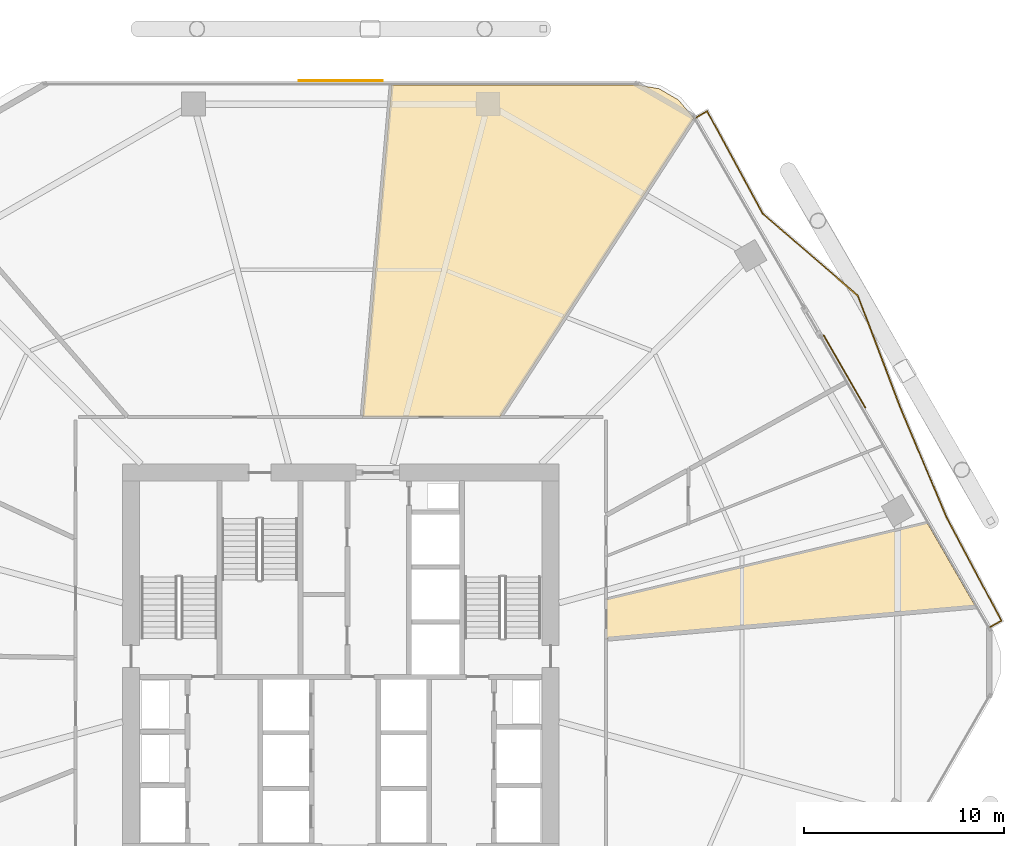
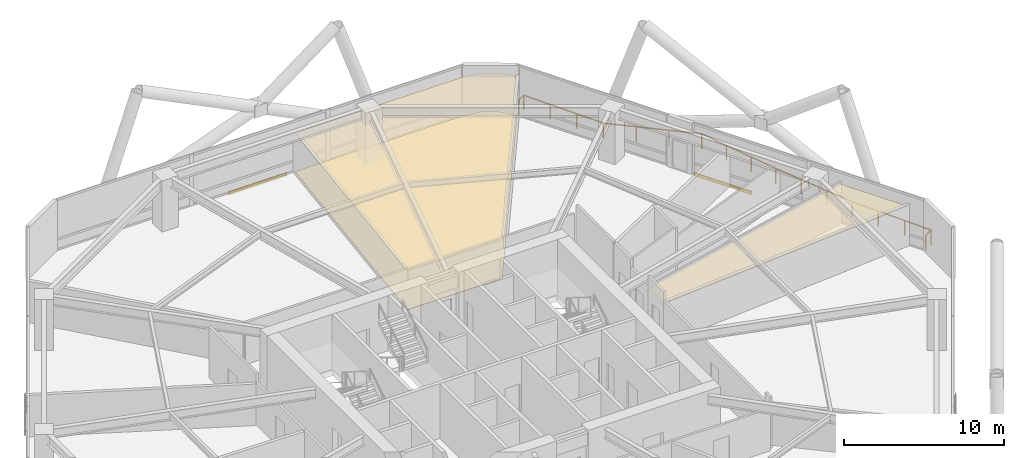
# One storey, part 31 of 31: 5 coverings, 1 railing.
"""IFC4 building model written with IfcOpenShell, lengths in metres."""

from ifc_helpers import new_model, si_unit, direction, frame, origin, origin_2d, place, context, subcontext, project, spatial, polyline, rectangle, outline, extrude, material, layer, layer_set, type_object, element, save


model = new_model("IFC4")

# Units and contexts
model_context = context("Model", 3, precision=1e-05, world=origin(), true_north=direction((0.0, 1.0)))
body_context = subcontext(model_context, "Body", "Model", "MODEL_VIEW")
ifc_project = project(units=[si_unit("LENGTHUNIT", "METRE"), si_unit("AREAUNIT", "SQUARE_METRE"), si_unit("VOLUMEUNIT", "CUBIC_METRE"), si_unit("PLANEANGLEUNIT", "RADIAN"), si_unit("MASSUNIT", "GRAM", prefix="KILO")], contexts=[model_context])

# Site, building, storey
site_placement = place(None, origin())
site = spatial("IfcSite", under=ifc_project, at=site_placement, CompositionType="ELEMENT")
building_placement = place(site_placement, origin())
building = spatial("IfcBuilding", under=site, at=building_placement, Name="Zuhravey Tower", CompositionType="ELEMENT")
storey_placement = place(building_placement, frame((0.0, 0.0, 7.800048828125)))
storey = spatial("IfcBuildingStorey", under=building, at=storey_placement, Name="L02", CompositionType="ELEMENT", Elevation=7.800048828125)

# Covering
ifc_material_1 = material(Name="Mineral-fibre acoustic ceiling tile")
ifc_layer_1 = layer(ifc_material_1, 0.02490234375)
ifc_layer_set_1 = layer_set([ifc_layer_1], Name="Mineral-fibre acoustic ceiling tile")
covering_type_1 = type_object("IfcCoveringType", Name="Acoustic Suspended Ceiling", PredefinedType="CEILING", material=ifc_layer_set_1)
covering_1_placement = place(storey_placement, frame((0.0, 0.0, 2.9599609375)))
element("IfcCovering", 1, at=covering_1_placement, inside=storey, type_object=covering_type_1, Name="L02 Acoustic Suspended Ceiling CLG1", PredefinedType="CEILING", context=body_context, shape_type="SweptSolid", body=[
    extrude(outline(polyline([(52.905029296875, 60.1630859375), (53.633544921875, 59.294921875), (53.66552734375, 59.2392578125), (43.967041015625, 44.304931640625), (37.0966796875, 44.304931640625), (38.550048828125, 60.91845703125), (50.8212890625, 60.91845703125), (51.9375, 60.7216796875), (52.905029296875, 60.1630859375)])), origin(), (0.0, 0.0, 1.0), 0.02490234375),
])

# Railing
ifc_material_2 = material(Name="Stainless steel 316 and laminated glass", Category="steel")
railing_type = type_object("IfcRailingType", Name="Balcony & Terrace Guardrail 1150", PredefinedType="BALUSTRADE", material=ifc_material_2)
railing_placement = place(storey_placement, frame((53.7880859375, 59.27685546875, 0.0)))
element("IfcRailing", 2, at=railing_placement, inside=storey, type_object=railing_type, Name="L02 Face 1 Wave Balcony Guardrail GR1", PredefinedType="BALUSTRADE", context=body_context, shape_type="SweptSolid", body=[
    extrude(rectangle(XDim=0.048095703125, YDim=0.048095703125, at=origin_2d()), frame((0.001708984375, 0.0009765625, 1.1259765625), z_axis=(0.865924053096, 0.500175503469, 0.0), x_axis=(-0.500175503469, 0.865924053096, 0.0)), (0.0, 0.0, 1.0), 0.633544921875),
    extrude(rectangle(XDim=0.048095703125, YDim=0.048095703125, at=origin_2d()), frame((0.552978515625, 0.317138671875, 1.1259765625), z_axis=(0.477488803986, -0.878637833278, 0.0), x_axis=(0.878637833278, 0.477488803986, 0.0)), (0.0, 0.0, 1.0), 5.84521484375),
    extrude(rectangle(XDim=0.048095703125, YDim=0.048095703125, at=origin_2d()), frame((3.346435546875, -4.82177734375, 1.1259765625), z_axis=(0.757636806075, -0.652676390014, 0.0), x_axis=(0.652676390014, 0.757636806075, 0.0)), (0.0, 0.0, 1.0), 6.271728515625),
    extrude(rectangle(XDim=0.048095703125, YDim=0.048095703125, at=origin_2d()), frame((8.100341796875, -8.91845703125, 1.1259765625), z_axis=(0.354826374343, -0.934932213623, 0.0), x_axis=(0.934932213623, 0.354826374343, 0.0)), (0.0, 0.0, 1.0), 5.9814453125),
    extrude(rectangle(XDim=0.048095703125, YDim=0.048095703125, at=origin_2d()), frame((10.22412109375, -14.514404296875, 1.1259765625), z_axis=(0.387721394518, -0.921776610808, 0.0), x_axis=(0.921776610808, 0.387721394518, 0.0)), (0.0, 0.0, 1.0), 5.98046875),
    extrude(rectangle(XDim=0.048095703125, YDim=0.048095703125, at=origin_2d()), frame((12.544677734375, -20.030517578125, 1.1259765625), z_axis=(0.469271312141, -0.883054038891, 0.0), x_axis=(0.883054038891, 0.469271312141, 0.0)), (0.0, 0.0, 1.0), 5.8388671875),
    extrude(rectangle(XDim=0.048095703125, YDim=0.048095703125, at=origin_2d()), frame((15.283935546875, -25.189453125, 1.1259765625), z_axis=(-0.865945423257, -0.500138504756, 0.0), x_axis=(0.500138504756, -0.865945423257, 0.0)), (0.0, 0.0, 1.0), 0.639404296875),
    extrude(rectangle(XDim=0.0419921875, YDim=0.0419921875, at=origin_2d()), origin(), (0.0, 0.0, 1.0), 1.099853515625),
    extrude(rectangle(XDim=0.0419921875, YDim=0.0419921875, at=origin_2d()), frame((0.552001953125, 0.31884765625, 0.0)), (0.0, 0.0, 1.0), 1.099853515625),
    extrude(rectangle(XDim=0.0419921875, YDim=0.0419921875, at=origin_2d()), frame((1.48291015625, -1.394287109375, 0.0)), (0.0, 0.0, 1.0), 1.099853515625),
    extrude(rectangle(XDim=0.0419921875, YDim=0.0419921875, at=origin_2d()), frame((2.4140625, -3.107421875, 0.0)), (0.0, 0.0, 1.0), 1.099853515625),
    extrude(rectangle(XDim=0.0419921875, YDim=0.0419921875, at=origin_2d()), frame((3.344970703125, -4.820556640625, 0.0)), (0.0, 0.0, 1.0), 1.099853515625),
    extrude(rectangle(XDim=0.0419921875, YDim=0.0419921875, at=origin_2d()), frame((4.929931640625, -6.185791015625, 0.0)), (0.0, 0.0, 1.0), 1.099853515625),
    extrude(rectangle(XDim=0.0419921875, YDim=0.0419921875, at=origin_2d()), frame((6.5146484375, -7.55126953125, 0.0)), (0.0, 0.0, 1.0), 1.099853515625),
    extrude(rectangle(XDim=0.0419921875, YDim=0.0419921875, at=origin_2d()), frame((8.099609375, -8.91650390625, 0.0)), (0.0, 0.0, 1.0), 1.099853515625),
    extrude(rectangle(XDim=0.0419921875, YDim=0.0419921875, at=origin_2d()), frame((8.8076171875, -10.78173828125, 0.0)), (0.0, 0.0, 1.0), 1.099853515625),
    extrude(rectangle(XDim=0.0419921875, YDim=0.0419921875, at=origin_2d()), frame((9.515380859375, -12.647216796875, 0.0)), (0.0, 0.0, 1.0), 1.099853515625),
    extrude(rectangle(XDim=0.0419921875, YDim=0.0419921875, at=origin_2d()), frame((10.223388671875, -14.512451171875, 0.0)), (0.0, 0.0, 1.0), 1.099853515625),
    extrude(rectangle(XDim=0.0419921875, YDim=0.0419921875, at=origin_2d()), frame((10.996826171875, -16.351318359375, 0.0)), (0.0, 0.0, 1.0), 1.099853515625),
    extrude(rectangle(XDim=0.0419921875, YDim=0.0419921875, at=origin_2d()), frame((11.770263671875, -18.18994140625, 0.0)), (0.0, 0.0, 1.0), 1.099853515625),
    extrude(rectangle(XDim=0.0419921875, YDim=0.0419921875, at=origin_2d()), frame((12.543701171875, -20.02880859375, 0.0)), (0.0, 0.0, 1.0), 1.099853515625),
    extrude(rectangle(XDim=0.0419921875, YDim=0.0419921875, at=origin_2d()), frame((13.457763671875, -21.748779296875, 0.0)), (0.0, 0.0, 1.0), 1.099853515625),
    extrude(rectangle(XDim=0.0419921875, YDim=0.0419921875, at=origin_2d()), frame((14.37158203125, -23.468505859375, 0.0)), (0.0, 0.0, 1.0), 1.099853515625),
    extrude(rectangle(XDim=0.0419921875, YDim=0.0419921875, at=origin_2d()), frame((15.28564453125, -25.1884765625, 0.0)), (0.0, 0.0, 1.0), 1.099853515625),
    extrude(rectangle(XDim=0.0419921875, YDim=0.0419921875, at=origin_2d()), frame((14.728515625, -25.51025390625, 0.0)), (0.0, 0.0, 1.0), 1.099853515625),
])

# Coverings
ifc_material_3 = material(Name="Moisture-resistant gypsum ceiling board")
ifc_layer_2 = layer(ifc_material_3, 0.02001953125)
ifc_layer_set_2 = layer_set([ifc_layer_2], Name="Moisture-resistant gypsum ceiling board")
covering_type_2 = type_object("IfcCoveringType", Name="Moisture-Resistant Ceiling", PredefinedType="CEILING", material=ifc_layer_set_2)
covering_2_placement = place(storey_placement, frame((0.0, 0.0, 2.9599609375)))
element("IfcCovering", 3, at=covering_2_placement, inside=storey, type_object=covering_type_2, Name="L02 Wet-Room Ceiling CLG2", PredefinedType="CEILING", context=body_context, shape_type="SweptSolid", body=[
    extrude(outline(polyline([(67.775390625, 34.800048828125), (49.304931640625, 33.18408203125), (49.304931640625, 35.149169921875), (65.364990234375, 38.97509765625), (67.775390625, 34.800048828125)])), origin(), (0.0, 0.0, 1.0), 0.02001953125),
])
ifc_material_4 = material(Name="Architectural GRC cladding panel")
ifc_layer_3 = layer(ifc_material_4, 0.048095703125)
ifc_layer_set_3 = layer_set([ifc_layer_3], Name="Architectural GRC cladding panel")
covering_type_3 = type_object("IfcCoveringType", Name="Precast Girih Spandrel Cladding CLD2", PredefinedType="CLADDING", material=ifc_layer_set_3)
for number, where, z_axis, x_axis, name in (
    (4, (36.0, 61.12255859375, -0.26025390625), (0.0, 0.0, 1.0), (1.0, 0.0, 0.0), "L02 Face 2 Girih Spandrel Cladding CLD2"),
    (5, (61.220703125, 46.561279296875, -0.26025390625), (0.0, 0.0, 1.0), (0.5, -0.866025403784, 0.0), "L02 Face 1 Girih Spandrel Cladding CLD2"),
):
    element("IfcCovering", number, at=place(storey_placement, frame(where, z_axis=z_axis, x_axis=x_axis)), inside=storey, type_object=covering_type_3, Name=name, PredefinedType="CLADDING", context=body_context, shape_type="SweptSolid", body=[
        extrude(rectangle(XDim=4.199951171875, YDim=0.048095703125, at=origin_2d()), origin(), (0.0, 0.0, 1.0), 0.260009765625),
    ])
ifc_material_5 = material(Name="Engineered oak acoustic flooring")
ifc_layer_4 = layer(ifc_material_5, 0.02197265625)
ifc_layer_set_4 = layer_set([ifc_layer_4], Name="Engineered oak acoustic flooring")
covering_type_4 = type_object("IfcCoveringType", Name="School Resilient Timber Flooring", PredefinedType="FLOORING", material=ifc_layer_set_4)
covering_3_placement = place(storey_placement, origin())
element("IfcCovering", 6, at=covering_3_placement, inside=storey, type_object=covering_type_4, Name="L02 Principal Room Acoustic Flooring", PredefinedType="FLOORING", context=body_context, shape_type="SweptSolid", body=[
    extrude(outline(polyline([(52.905029296875, 60.1630859375), (53.633544921875, 59.294921875), (53.66552734375, 59.2392578125), (43.967041015625, 44.304931640625), (37.0966796875, 44.304931640625), (38.550048828125, 60.91845703125), (50.8212890625, 60.91845703125), (51.9375, 60.7216796875), (52.905029296875, 60.1630859375)])), origin(), (0.0, 0.0, 1.0), 0.02197265625),
])

save(model, "model.ifc")
